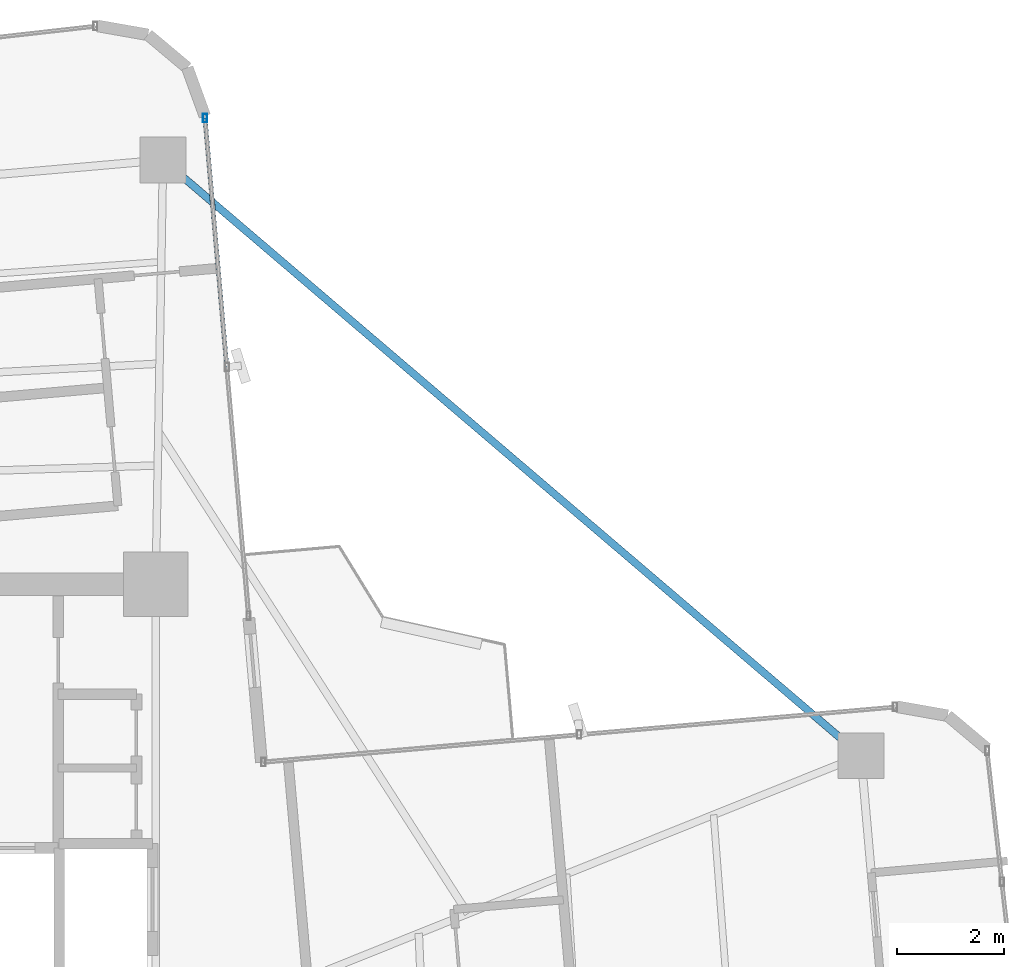
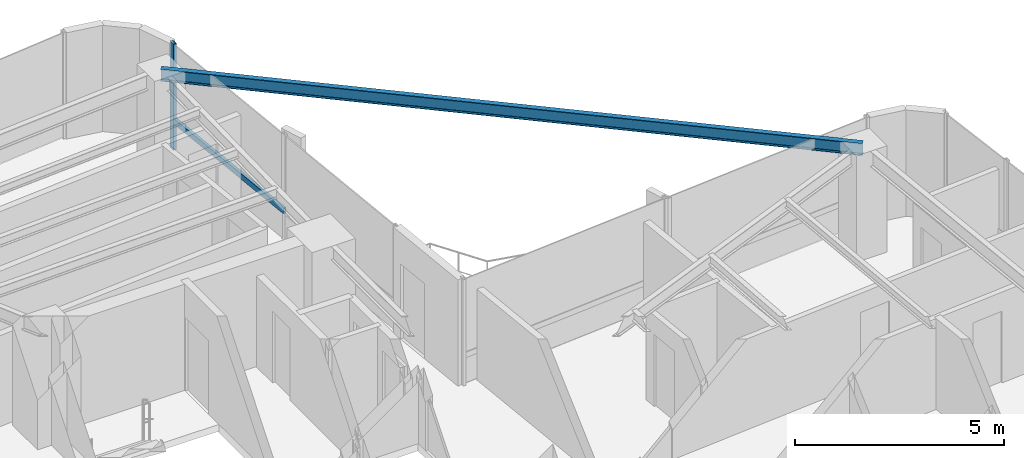
# One storey, part 17 of 24: 2 members, 1 beam, 1 element without a shape of its own.
"""IFC4 building model written with IfcOpenShell, lengths in metres."""

from ifc_helpers import new_model, si_unit, direction, frame, origin, origin_2d, place, context, subcontext, project, spatial, hollow_rectangle, i_section, extrude, source, transform, mapped, material, material_profile, profile_set, type_object, element, aggregate, save


model = new_model("IFC4")

# Units and contexts
model_context = context("Model", 3, precision=1e-05, world=origin(), true_north=direction((0.0, 1.0)))
body_context = subcontext(model_context, "Body", "Model", "MODEL_VIEW")
ifc_project = project(units=[si_unit("LENGTHUNIT", "METRE"), si_unit("AREAUNIT", "SQUARE_METRE"), si_unit("VOLUMEUNIT", "CUBIC_METRE"), si_unit("PLANEANGLEUNIT", "RADIAN"), si_unit("MASSUNIT", "GRAM", prefix="KILO")], contexts=[model_context])

# Site, building, storey
site_placement = place(None, origin())
site = spatial("IfcSite", under=ifc_project, at=site_placement, CompositionType="ELEMENT")
building_placement = place(site_placement, origin())
building = spatial("IfcBuilding", under=site, at=building_placement, Name="Sahyath Konkavel Grand Hotel", CompositionType="ELEMENT")
storey_placement = place(building_placement, frame((0.0, 0.0, 164.0)))
storey = spatial("IfcBuildingStorey", under=building, at=storey_placement, Name="L45", CompositionType="ELEMENT", Elevation=164.0)

# Beam
ifc_material_1 = material(Name="Steel E350", Category="steel")
ifc_material_profile_1 = material_profile(ifc_material_1, i_section(OverallWidth=0.139892578125, OverallDepth=0.35009765625, WebThickness=0.008056640625, FlangeThickness=0.01416015625, FilletRadius=0.013916015625, at=origin_2d()), Name="ISMB 350")
ifc_profile_set_1 = profile_set([ifc_material_profile_1], Name="Steel E350")
beam_type = type_object("IfcBeamType", Name="BM-ISMB350", PredefinedType="BEAM", material=ifc_profile_set_1)
shared_shape_1 = source(origin(), body_context, "Body", "SweptSolid", [
    extrude(i_section(OverallWidth=0.139892578125, OverallDepth=0.35009765625, WebThickness=0.008056640625, FlangeThickness=0.01416015625, FilletRadius=0.013916015625, at=origin_2d()), origin(), (0.0, 0.0, 1.0), 17.11279296875),
])
beam_placement = place(storey_placement, frame((16.9541015625, 7.00439453125, 2.93505859375), z_axis=(-0.760711911164, 0.649089661151, 0.0), x_axis=(-0.649089661151, -0.760711911164, 0.0)))
element("IfcBeam", 1, at=beam_placement, inside=storey, type_object=beam_type, Name="L45 Re-Entrant Tie Beam NE", PredefinedType="BEAM", context=body_context, shape_type="MappedRepresentation", body=[
    mapped(shared_shape_1, transform((0.0, 0.0, 0.0), scale=1.0)),
])

# Curtain wall, members
ifc_material_2 = material(Name="Anodised Bronze Aluminium & Low-E Glazing", Category="aluminium")
curtain_wall_type = type_object("IfcCurtainWallType", Name="CW-ZONE3", PredefinedType="NOTDEFINED", material=ifc_material_2)
curtain_wall_placement = place(storey_placement, origin())
curtain_wall = element("IfcCurtainWall", 2, at=curtain_wall_placement, inside=storey, type_object=curtain_wall_type, Name="L45 Unitised Curtain Wall F8", PredefinedType="NOTDEFINED")
ifc_material_3 = material(Name="Anodised Bronze Aluminium", Category="aluminium")
ifc_material_profile_2 = material_profile(ifc_material_3, hollow_rectangle(XDim=0.080078125, YDim=0.159912109375, WallThickness=0.006103515625, at=origin_2d()), Name="RHS 160x80x6")
ifc_profile_set_2 = profile_set([ifc_material_profile_2], Name="Anodised Bronze Aluminium")
member_type_1 = type_object("IfcMemberType", Name="CW-MUL-160", PredefinedType="MULLION", material=ifc_profile_set_2)
shared_shape_2 = source(origin(), body_context, "Body", "SweptSolid", [
    extrude(hollow_rectangle(XDim=0.080078125, YDim=0.159912109375, WallThickness=0.006103515625, at=origin_2d()), origin(), (0.0, 0.0, 1.0), 3.110107421875),
])
member_1_placement = place(storey_placement, frame((4.72119140625, 18.893310546875, 0.0), z_axis=(0.0, 0.0, 1.0), x_axis=(1.0, 0.0, 0.0)))
member_1 = element("IfcMember", 3, at=member_1_placement, type_object=member_type_1, Name="L45 Curtain Wall Mullion F8-2", PredefinedType="MULLION", context=body_context, shape_type="MappedRepresentation", body=[
    mapped(shared_shape_2, transform((0.0, 0.0, 0.0), scale=1.0)),
])
ifc_material_profile_3 = material_profile(ifc_material_3, hollow_rectangle(XDim=0.080078125, YDim=0.159912109375, WallThickness=0.006103515625, at=origin_2d()), Name="RHS 160x80x6")
ifc_profile_set_3 = profile_set([ifc_material_profile_3], Name="Anodised Bronze Aluminium")
member_type_2 = type_object("IfcMemberType", Name="CW-TRN-160", PredefinedType="USERDEFINED", material=ifc_profile_set_3)
shared_shape_3 = source(origin(), body_context, "Body", "SweptSolid", [
    extrude(hollow_rectangle(XDim=0.080078125, YDim=0.159912109375, WallThickness=0.006103515625, at=origin_2d()), origin(), (0.0, 0.0, 1.0), 4.659912109375),
])
member_2_placement = place(storey_placement, frame((5.12744140625, 14.251220703125, 0.85009765625), z_axis=(-0.087181248758, 0.996192466276, 0.0), x_axis=(-0.996192466276, -0.087181248758, 0.0)))
member_2 = element("IfcMember", 4, at=member_2_placement, type_object=member_type_2, Name="L45 Curtain Wall Transom F8-1-spandrel", ObjectType="TRANSOM", PredefinedType="USERDEFINED", context=body_context, shape_type="MappedRepresentation", body=[
    mapped(shared_shape_3, transform((0.0, 0.0, 0.0), scale=1.0)),
])
aggregate(curtain_wall, [member_1, member_2])

save(model, "model.ifc")
